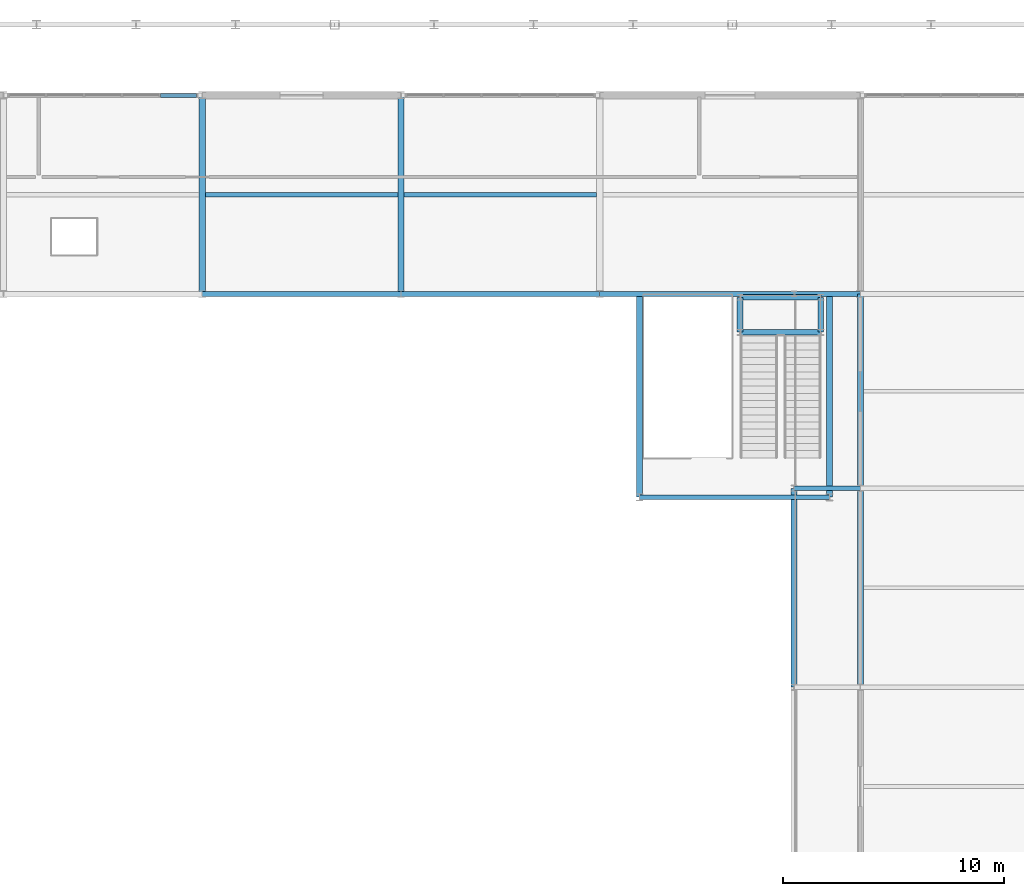
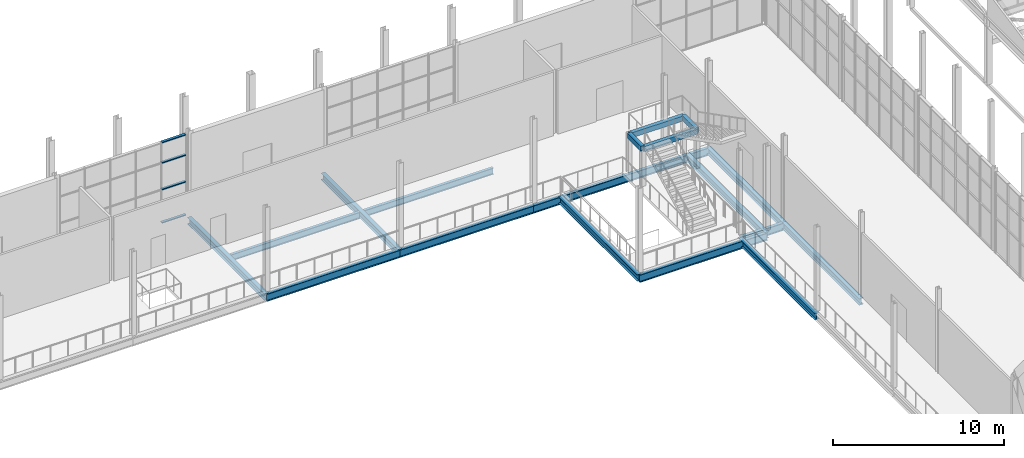
# One storey, part 79 of 159: 18 beams, 4 members, 1 element without a shape of its own.
"""IFC4 building model written with IfcOpenShell, lengths in metres."""

from ifc_helpers import new_model, si_unit, direction, frame, origin, origin_2d, place, context, subcontext, project, spatial, rectangle, hollow_rectangle, i_section, extrude, material, layer, layer_set, material_profile, profile_set, type_object, element, aggregate, save


model = new_model("IFC4")

# Units and contexts
model_context = context("Model", 3, precision=1e-05, world=origin(), true_north=direction((0.0, 1.0)))
body_context = subcontext(model_context, "Body", "Model", "MODEL_VIEW")
ifc_project = project(units=[si_unit("LENGTHUNIT", "METRE"), si_unit("AREAUNIT", "SQUARE_METRE"), si_unit("VOLUMEUNIT", "CUBIC_METRE"), si_unit("PLANEANGLEUNIT", "RADIAN"), si_unit("MASSUNIT", "GRAM", prefix="KILO")], contexts=[model_context])

# Site, building, storey
site_placement = place(None, origin())
site = spatial("IfcSite", under=ifc_project, at=site_placement, CompositionType="ELEMENT")
building_placement = place(site_placement, origin())
building = spatial("IfcBuilding", under=site, at=building_placement, Name="Cazmaro Siding Exhibition Halls", CompositionType="ELEMENT")
storey_placement = place(building_placement, frame((0.0, 0.0, 6.0)))
storey = spatial("IfcBuildingStorey", under=building, at=storey_placement, Name="L01", CompositionType="ELEMENT", Elevation=6.0)

# Beams
ifc_material_1 = material(Name="Steel ASTM A992 Grade 50", Category="steel")
ifc_material_profile_1 = material_profile(ifc_material_1, i_section(OverallWidth=0.2099609375, OverallDepth=0.535888671875, WebThickness=0.010986328125, FlangeThickness=0.01708984375, at=origin_2d()), Name="W21X68")
ifc_profile_set_1 = profile_set([ifc_material_profile_1], Name="Steel ASTM A992 Grade 50")
beam_type_1 = type_object("IfcBeamType", Name="B-02", PredefinedType="BEAM", material=ifc_profile_set_1)
for number, where, z_axis, x_axis, name in (
    (1, (129.0, 111.800048828125, -0.488037109375), (1.0, 0.0, 0.0), (0.0, 1.0, 0.0), "Beam B-02 BM-0288"),
    (2, (138.0, 111.800048828125, -0.488037109375), (1.0, 0.0, 0.0), (0.0, 1.0, 0.0), "Beam B-02 BM-0291"),
):
    element("IfcBeam", number, at=place(storey_placement, frame(where, z_axis=z_axis, x_axis=x_axis)), inside=storey, type_object=beam_type_1, Name=name, PredefinedType="BEAM", context=body_context, shape_type="SweptSolid", body=[
        extrude(i_section(OverallWidth=0.2099609375, OverallDepth=0.535888671875, WebThickness=0.010986328125, FlangeThickness=0.01708984375, at=origin_2d()), origin(), (0.0, 0.0, 1.0), 9.0),
    ])
beam_1_placement = place(storey_placement, frame((147.0, 111.800048828125, -0.488037109375), z_axis=(1.0, 0.0, 0.0), x_axis=(0.0, 1.0, 0.0)))
element("IfcBeam", 3, at=beam_1_placement, inside=storey, type_object=beam_type_1, Name="Beam B-02 BM-0294", PredefinedType="BEAM", context=body_context, shape_type="SweptSolid", body=[
    extrude(i_section(OverallWidth=0.2099609375, OverallDepth=0.535888671875, WebThickness=0.010986328125, FlangeThickness=0.01708984375, at=origin_2d()), origin(), (0.0, 0.0, 1.0), 11.800048828125),
])
beam_2_placement = place(storey_placement, frame((155.800048828125, 103.0, -0.488037109375), z_axis=(1.0, 0.0, 0.0), x_axis=(0.0, 1.0, 0.0)))
element("IfcBeam", 4, at=beam_2_placement, inside=storey, type_object=beam_type_1, Name="Beam B-02 BM-0374", PredefinedType="BEAM", context=body_context, shape_type="SweptSolid", body=[
    extrude(i_section(OverallWidth=0.2099609375, OverallDepth=0.535888671875, WebThickness=0.010986328125, FlangeThickness=0.01708984375, at=origin_2d()), origin(), (0.0, 0.0, 1.0), 3.0),
])
beam_3_placement = place(storey_placement, frame((148.800048828125, 102.60009765625, -0.488037109375), z_axis=(1.0, 0.0, 0.0), x_axis=(0.0, 1.0, 0.0)))
element("IfcBeam", 5, at=beam_3_placement, inside=storey, type_object=beam_type_1, Name="Beam B-02 BM-2512", PredefinedType="BEAM", context=body_context, shape_type="SweptSolid", body=[
    extrude(i_section(OverallWidth=0.2099609375, OverallDepth=0.535888671875, WebThickness=0.010986328125, FlangeThickness=0.01708984375, at=origin_2d()), origin(), (0.0, 0.0, 1.0), 8.599853515625),
])
ifc_material_2 = material(Name="Steel ASTM A992 Grade 50", Category="steel")
ifc_material_profile_2 = material_profile(ifc_material_2, i_section(OverallWidth=0.279052734375, OverallDepth=0.4619140625, WebThickness=0.010986328125, FlangeThickness=0.01708984375, at=origin_2d()), Name="W18X76")
ifc_profile_set_2 = profile_set([ifc_material_profile_2], Name="Steel ASTM A992 Grade 50")
beam_type_2 = type_object("IfcBeamType", Name="B-03", PredefinedType="BEAM", material=ifc_profile_set_2)
for number, where, z_axis, x_axis, name in (
    (6, (129.0, 111.800048828125, -0.450927734375), (0.0, 1.0, 0.0), (-1.0, 0.0, 0.0), "Beam B-03 BM-0309"),
    (7, (138.0, 111.800048828125, -0.450927734375), (0.0, 1.0, 0.0), (-1.0, 0.0, 0.0), "Beam B-03 BM-0310"),
    (8, (155.800048828125, 94.0, -0.450927734375), (0.0, 1.0, 0.0), (-1.0, 0.0, 0.0), "Beam B-03 BM-0379"),
    (9, (158.800048828125, 94.0, -0.450927734375), (0.0, 1.0, 0.0), (-1.0, 0.0, 0.0), "Beam B-03 BM-0380"),
):
    element("IfcBeam", number, at=place(storey_placement, frame(where, z_axis=z_axis, x_axis=x_axis)), inside=storey, type_object=beam_type_2, Name=name, PredefinedType="BEAM", context=body_context, shape_type="SweptSolid", body=[
        extrude(i_section(OverallWidth=0.279052734375, OverallDepth=0.4619140625, WebThickness=0.010986328125, FlangeThickness=0.01708984375, at=origin_2d()), origin(), (0.0, 0.0, 1.0), 9.0),
    ])
beam_4_placement = place(storey_placement, frame((158.800048828125, 103.0, -0.450927734375), z_axis=(0.0, 1.0, 0.0), x_axis=(-1.0, 0.0, 0.0)))
element("IfcBeam", 10, at=beam_4_placement, inside=storey, type_object=beam_type_2, Name="Beam B-03 BM-0381", PredefinedType="BEAM", context=body_context, shape_type="SweptSolid", body=[
    extrude(i_section(OverallWidth=0.279052734375, OverallDepth=0.4619140625, WebThickness=0.010986328125, FlangeThickness=0.01708984375, at=origin_2d()), origin(), (0.0, 0.0, 1.0), 8.800048828125),
])
for number, where, z_axis, x_axis, name in (
    (11, (148.800048828125, 102.60009765625, -0.450927734375), (0.0, 1.0, 0.0), (-1.0, 0.0, 0.0), "Beam B-03 BM-2513"),
    (12, (157.39990234375, 102.60009765625, -0.450927734375), (0.0, 1.0, 0.0), (-1.0, 0.0, 0.0), "Beam B-03 BM-2514"),
):
    element("IfcBeam", number, at=place(storey_placement, frame(where, z_axis=z_axis, x_axis=x_axis)), inside=storey, type_object=beam_type_2, Name=name, PredefinedType="BEAM", context=body_context, shape_type="SweptSolid", body=[
        extrude(i_section(OverallWidth=0.279052734375, OverallDepth=0.4619140625, WebThickness=0.010986328125, FlangeThickness=0.01708984375, at=origin_2d()), origin(), (0.0, 0.0, 1.0), 9.199951171875),
    ])
ifc_material_3 = material(Name="Steel ASTM A500 Grade C", Category="steel")
ifc_material_profile_3 = material_profile(ifc_material_3, hollow_rectangle(XDim=0.25390625, YDim=0.35595703125, WallThickness=0.014892578125, at=origin_2d()), Name="HSS14X10X5/8")
ifc_profile_set_3 = profile_set([ifc_material_profile_3], Name="Steel ASTM A500 Grade C")
beam_type_3 = type_object("IfcBeamType", Name="B-06", PredefinedType="BEAM", material=ifc_profile_set_3)
for number, where, z_axis, x_axis, name in (
    (13, (153.35009765625, 110.070068359375, 2.6220703125), (1.0, 0.0, 0.0), (0.0, 1.0, 0.0), "Beam B-06 BM-2486"),
    (14, (153.35009765625, 111.64990234375, 2.6220703125), (1.0, 0.0, 0.0), (0.0, 1.0, 0.0), "Beam B-06 BM-2487"),
):
    element("IfcBeam", number, at=place(storey_placement, frame(where, z_axis=z_axis, x_axis=x_axis)), inside=storey, type_object=beam_type_3, Name=name, PredefinedType="BEAM", context=body_context, shape_type="SweptSolid", body=[
        extrude(hollow_rectangle(XDim=0.25390625, YDim=0.35595703125, WallThickness=0.014892578125, at=origin_2d()), origin(), (0.0, 0.0, 1.0), 3.659912109375),
    ])
for number, where, z_axis, x_axis, name in (
    (15, (153.35009765625, 110.070068359375, 2.6220703125), (0.0, 1.0, 0.0), (-1.0, 0.0, 0.0), "Beam B-06 BM-2488"),
    (16, (157.010009765625, 110.070068359375, 2.6220703125), (0.0, 1.0, 0.0), (-1.0, 0.0, 0.0), "Beam B-06 BM-2489"),
):
    element("IfcBeam", number, at=place(storey_placement, frame(where, z_axis=z_axis, x_axis=x_axis)), inside=storey, type_object=beam_type_3, Name=name, PredefinedType="BEAM", context=body_context, shape_type="SweptSolid", body=[
        extrude(hollow_rectangle(XDim=0.25390625, YDim=0.35595703125, WallThickness=0.014892578125, at=origin_2d()), origin(), (0.0, 0.0, 1.0), 1.579833984375),
    ])

# Curtain wall, members
ifc_material_4 = material(Name="Anodized Bronze Aluminum and Solar-Control Low-E Glazing", Category="aluminium")
ifc_layer = layer(ifc_material_4, 0.199951171875)
ifc_layer_set = layer_set([ifc_layer], Name="Anodized Bronze Aluminum and Solar-Control Low-E Glazing")
curtain_wall_type = type_object("IfcCurtainWallType", Name="CWS-02", PredefinedType="USERDEFINED", material=ifc_layer_set)
curtain_wall_placement = place(storey_placement, origin())
curtain_wall = element("IfcCurtainWall", 17, at=curtain_wall_placement, inside=storey, type_object=curtain_wall_type, Name="Glazed Curtain Wall CWS-02 CW-033", ObjectType="GLAZED CURTAIN WALL", PredefinedType="USERDEFINED")
ifc_material_5 = material(Name="Anodized Bronze Extruded Aluminum", Category="aluminium")
ifc_material_profile_4 = material_profile(ifc_material_5, rectangle(XDim=0.179931640625, YDim=0.06494140625, at=origin_2d()), Name="CWT-02")
ifc_profile_set_4 = profile_set([ifc_material_profile_4], Name="Anodized Bronze Extruded Aluminum")
member_type = type_object("IfcMemberType", Name="CWT-02", PredefinedType="MULLION", material=ifc_profile_set_4)
member_1_placement = place(storey_placement, frame((128.738037109375, 120.800048828125, 0.032470703125), z_axis=(-1.0, 0.0, 0.0), x_axis=(0.0, -1.0, 0.0)))
member_1 = element("IfcMember", 18, at=member_1_placement, type_object=member_type, Name="CWS-02 transom 1.1", ObjectType="TRANSOM", PredefinedType="USERDEFINED", context=body_context, shape_type="SweptSolid", body=[
    extrude(rectangle(XDim=0.179931640625, YDim=0.06494140625, at=origin_2d()), origin(), (0.0, 0.0, 1.0), 1.623779296875),
])
member_2_placement = place(storey_placement, frame((128.738037109375, 120.800048828125, 2.39990234375), z_axis=(-1.0, 0.0, 0.0), x_axis=(0.0, -1.0, 0.0)))
member_2 = element("IfcMember", 19, at=member_2_placement, type_object=member_type, Name="CWS-02 transom 1.2", ObjectType="TRANSOM", PredefinedType="USERDEFINED", context=body_context, shape_type="SweptSolid", body=[
    extrude(rectangle(XDim=0.179931640625, YDim=0.06494140625, at=origin_2d()), origin(), (0.0, 0.0, 1.0), 1.623779296875),
])
member_3_placement = place(storey_placement, frame((128.738037109375, 120.800048828125, 4.300048828125), z_axis=(-1.0, 0.0, 0.0), x_axis=(0.0, -1.0, 0.0)))
member_3 = element("IfcMember", 20, at=member_3_placement, type_object=member_type, Name="CWS-02 transom 1.3", ObjectType="TRANSOM", PredefinedType="USERDEFINED", context=body_context, shape_type="SweptSolid", body=[
    extrude(rectangle(XDim=0.179931640625, YDim=0.06494140625, at=origin_2d()), origin(), (0.0, 0.0, 1.0), 1.623779296875),
])
member_4_placement = place(storey_placement, frame((128.738037109375, 120.800048828125, 5.74755859375), z_axis=(-1.0, 0.0, 0.0), x_axis=(0.0, -1.0, 0.0)))
member_4 = element("IfcMember", 21, at=member_4_placement, type_object=member_type, Name="CWS-02 transom 1.4", ObjectType="TRANSOM", PredefinedType="USERDEFINED", context=body_context, shape_type="SweptSolid", body=[
    extrude(rectangle(XDim=0.179931640625, YDim=0.06494140625, at=origin_2d()), origin(), (0.0, 0.0, 1.0), 1.623779296875),
])
aggregate(curtain_wall, [member_1, member_2, member_3, member_4])

# Beams
ifc_material_6 = material(Name="Steel ASTM A992 Grade 50", Category="steel")
ifc_material_profile_5 = material_profile(ifc_material_6, i_section(OverallWidth=0.19091796875, OverallDepth=0.45703125, WebThickness=0.009033203125, FlangeThickness=0.013916015625, at=origin_2d()), Name="W18X50")
ifc_profile_set_5 = profile_set([ifc_material_profile_5], Name="Steel ASTM A992 Grade 50")
beam_type_4 = type_object("IfcBeamType", Name="J-01", PredefinedType="JOIST", material=ifc_profile_set_5)
for number, where, z_axis, x_axis, name in (
    (22, (129.139892578125, 116.300048828125, -0.448974609375), (1.0, 0.0, 0.0), (0.0, 1.0, 0.0), "Beam J-01 BM-0290"),
    (23, (138.139892578125, 116.300048828125, -0.448974609375), (1.0, 0.0, 0.0), (0.0, 1.0, 0.0), "Beam J-01 BM-0293"),
):
    element("IfcBeam", number, at=place(storey_placement, frame(where, z_axis=z_axis, x_axis=x_axis)), inside=storey, type_object=beam_type_4, Name=name, PredefinedType="JOIST", context=body_context, shape_type="SweptSolid", body=[
        extrude(i_section(OverallWidth=0.19091796875, OverallDepth=0.45703125, WebThickness=0.009033203125, FlangeThickness=0.013916015625, at=origin_2d()), origin(), (0.0, 0.0, 1.0), 8.72021484375),
    ])

save(model, "model.ifc")
